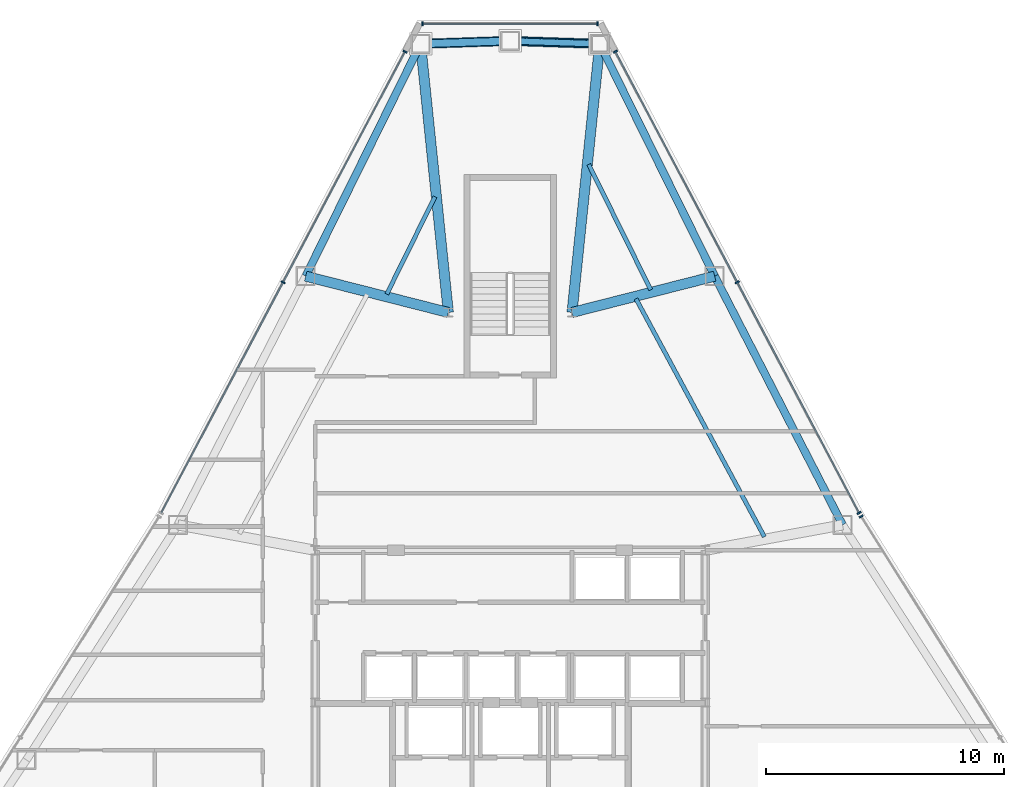
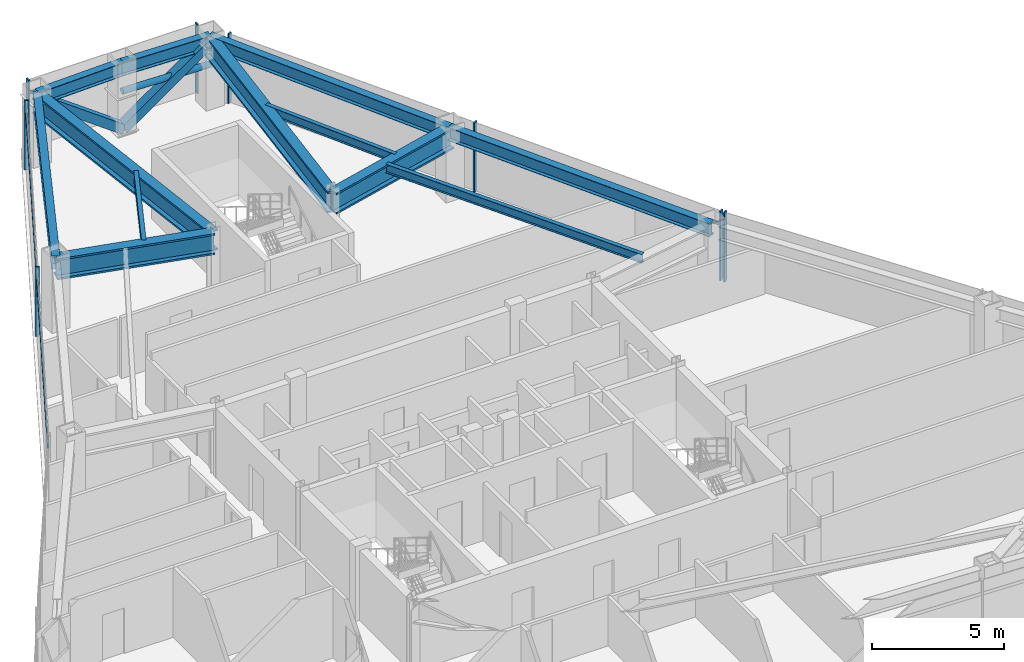
# One storey, part 8 of 13: 14 members, 12 beams, 4 elements without a shape of their own.
"""IFC4 building model written with IfcOpenShell, lengths in metres."""

import ifcopenshell
import ifcopenshell.guid

model = None  # the IFC model being written
_history = None  # IfcOwnerHistory: only IFC2X3 demands one
_inside = {}  # id of a spatial element -> (the spatial element, [elements in it])
_under = {}  # id of a project, library or spatial element -> (it, [spatial elements below it])
_declared = {}  # id of a project -> (the project, [libraries it declares])
_typed = {}  # id of a type object -> (the type object, [elements of that type])
_made_of = {}  # id of a material, layer set ... -> (it, [elements and type objects made of it])


def new_model(schema):
    """Start an empty IFC model of exactly this schema.

    Asked for "IFC4X3", IfcOpenShell would pick the latest addendum, in which some entities
    have other attributes; the version numbers below select the first issue.
    IFC2X3 requires an IfcOwnerHistory on every rooted entity: one is made here for all.
    """
    global model, _history
    if schema == "IFC4X3":
        model = ifcopenshell.file(schema_version=(4, 3, 0, 0))
    else:
        model = ifcopenshell.file(schema=schema)
    _inside.clear()
    _under.clear()
    _declared.clear()
    _typed.clear()
    _made_of.clear()
    _history = None
    if model.schema == "IFC2X3":
        org = make("IfcOrganization", Name="unknown")
        user = make(
            "IfcPersonAndOrganization",
            ThePerson=make("IfcPerson", FamilyName="unknown"),
            TheOrganization=org,
        )
        app = make(
            "IfcApplication",
            ApplicationDeveloper=org,
            Version="unknown",
            ApplicationFullName="unknown",
            ApplicationIdentifier="unknown",
        )
        _history = make(
            "IfcOwnerHistory",
            OwningUser=user,
            OwningApplication=app,
            ChangeAction="ADDED",
            CreationDate=0,
        )
    return model


def make(cls, **values):
    """One entity of the class cls with the attributes given. An attribute that is None is left unset."""
    return model.create_entity(
        cls, **{name: value for name, value in values.items() if value is not None}
    )


def rooted(cls, **values):
    """An entity with a GlobalId (a new one), such as an element, a storey or a relation."""
    return make(cls, GlobalId=ifcopenshell.guid.new(), OwnerHistory=_history, **values)


def si_unit(unit_type, name, prefix=None):
    """IfcSIUnit, for example si_unit("LENGTHUNIT", "METRE", prefix="MILLI")."""
    return make("IfcSIUnit", UnitType=unit_type, Prefix=prefix, Name=name)


def assignment(units):
    """IfcUnitAssignment: the units of a project."""
    return None if units is None else make("IfcUnitAssignment", Units=units)


def point(xyz):
    """IfcCartesianPoint."""
    return None if xyz is None else make("IfcCartesianPoint", Coordinates=xyz)


def direction(xyz):
    """IfcDirection."""
    return None if xyz is None else make("IfcDirection", DirectionRatios=xyz)


def frame(location, z_axis=None, x_axis=None):
    """IfcAxis2Placement3D, a coordinate frame: its origin and axes. An axis left out is left unset."""
    return make(
        "IfcAxis2Placement3D",
        Location=point(location),
        Axis=direction(z_axis),
        RefDirection=direction(x_axis),
    )


def frame_2d(location, x_axis=None):
    """IfcAxis2Placement2D, a coordinate frame in the plane: its origin and x axis."""
    return make(
        "IfcAxis2Placement2D", Location=point(location), RefDirection=direction(x_axis)
    )


def origin():
    """The frame at (0, 0, 0) with its axes left unset."""
    return frame((0.0, 0.0, 0.0))


def origin_2d():
    """The frame at (0, 0) in the plane with its x axis left unset."""
    return frame_2d((0.0, 0.0))


def place(relative_to, where):
    """IfcLocalPlacement: puts the frame where relative to a parent placement (None: the world)."""
    return make(
        "IfcLocalPlacement", PlacementRelTo=relative_to, RelativePlacement=where
    )


def context(
    kind, dimensions, precision=None, world=None, true_north=None, identifier=None
):
    """IfcGeometricRepresentationContext, for example the 3D "Model" context."""
    return make(
        "IfcGeometricRepresentationContext",
        ContextIdentifier=identifier,
        ContextType=kind,
        CoordinateSpaceDimension=dimensions,
        Precision=precision,
        WorldCoordinateSystem=world,
        TrueNorth=true_north,
    )


def subcontext(parent, identifier, kind, view, scale=None):
    """IfcGeometricRepresentationSubContext, for example "Body" below "Model"."""
    return make(
        "IfcGeometricRepresentationSubContext",
        ContextIdentifier=identifier,
        ContextType=kind,
        ParentContext=parent,
        TargetScale=scale,
        TargetView=view,
    )


def project(units=None, contexts=None):
    """IfcProject with its units and contexts."""
    return rooted(
        "IfcProject",
        Name="project",
        RepresentationContexts=contexts,
        UnitsInContext=assignment(units),
    )


def spatial(cls, under=None, at=None, **own):
    """A site, building, storey or space (cls), placed at a placement, below another one or the project."""
    s = rooted(cls, ObjectPlacement=at, **own)
    if under is not None:
        _under.setdefault(under.id(), (under, []))[1].append(s)
    return s


def profile(cls, at=None, kind="AREA", **sizes):
    """A parametric profile (cls). Its sizes go by their IFC names, for example OverallWidth=200.0."""
    return make(cls, ProfileType=kind, Position=at, **sizes)


def rectangle(**sizes):
    """IfcRectangleProfileDef."""
    return profile("IfcRectangleProfileDef", **sizes)


def hollow_rectangle(**sizes):
    """IfcRectangleHollowProfileDef."""
    return profile("IfcRectangleHollowProfileDef", **sizes)


def hollow_circle(**sizes):
    """IfcCircleHollowProfileDef."""
    return profile("IfcCircleHollowProfileDef", **sizes)


def i_section(**sizes):
    """IfcIShapeProfileDef."""
    return profile("IfcIShapeProfileDef", **sizes)


def extrude(swept, where, along, depth):
    """IfcExtrudedAreaSolid: the profile swept, set in the frame where, extruded along a direction by depth."""
    return make(
        "IfcExtrudedAreaSolid",
        SweptArea=swept,
        Position=where,
        ExtrudedDirection=direction(along),
        Depth=depth,
    )


def shape(context_of_items, identifier, shape_type, items):
    """IfcShapeRepresentation: the items that make up one representation, for example the "Body"."""
    return make(
        "IfcShapeRepresentation",
        ContextOfItems=context_of_items,
        RepresentationIdentifier=identifier,
        RepresentationType=shape_type,
        Items=items,
    )


def source(mapping_origin, context_of_items, identifier, shape_type, items):
    """IfcRepresentationMap: a shape defined once, which mapped items show again and again."""
    return make(
        "IfcRepresentationMap",
        MappingOrigin=mapping_origin,
        MappedRepresentation=shape(context_of_items, identifier, shape_type, items),
    )


def transform(
    local_origin,
    x_axis=None,
    y_axis=None,
    z_axis=None,
    scale=None,
    scale2=None,
    scale3=None,
    uniform=True,
):
    """IfcCartesianTransformationOperator3D, or its non-uniform kind. x_axis, y_axis, z_axis: its Axis1, 2, 3."""
    if uniform:
        return make(
            "IfcCartesianTransformationOperator3D",
            Axis1=direction(x_axis),
            Axis2=direction(y_axis),
            LocalOrigin=point(local_origin),
            Scale=scale,
            Axis3=direction(z_axis),
        )
    return make(
        "IfcCartesianTransformationOperator3DnonUniform",
        Axis1=direction(x_axis),
        Axis2=direction(y_axis),
        LocalOrigin=point(local_origin),
        Scale=scale,
        Axis3=direction(z_axis),
        Scale2=scale2,
        Scale3=scale3,
    )


def mapped(mapping_source, mapping_target):
    """IfcMappedItem: shows the shape of a source again, moved by a transform."""
    return make(
        "IfcMappedItem", MappingSource=mapping_source, MappingTarget=mapping_target
    )


def material(Name=None, Category=None):
    """IfcMaterial."""
    return make("IfcMaterial", Name=Name, Category=Category)


def layer(
    of_material, thickness, ventilated=None, Name=None, Category=None, Priority=None
):
    """IfcMaterialLayer: one layer of a wall or slab, of a material (None: an air gap)."""
    return make(
        "IfcMaterialLayer",
        Material=of_material,
        LayerThickness=thickness,
        IsVentilated=ventilated,
        Name=Name,
        Category=Category,
        Priority=Priority,
    )


def layer_set(layers, Name=None):
    """IfcMaterialLayerSet."""
    return make("IfcMaterialLayerSet", MaterialLayers=layers, LayerSetName=Name)


def material_profile(
    of_material, cross_section, Name=None, Category=None, Priority=None
):
    """IfcMaterialProfile: a cross section and its material."""
    return make(
        "IfcMaterialProfile",
        Name=Name,
        Material=of_material,
        Profile=cross_section,
        Priority=Priority,
        Category=Category,
    )


def profile_set(profiles, Name=None, composite=None):
    """IfcMaterialProfileSet."""
    return make(
        "IfcMaterialProfileSet",
        Name=Name,
        MaterialProfiles=profiles,
        CompositeProfile=composite,
    )


def made_of(thing, what):
    """Note that an element or type object is made of a material, layer set ...; save() writes the relation."""
    if what is not None:
        _made_of.setdefault(what.id(), (what, []))[1].append(thing)
    return thing


def type_object(cls, material=None, **own):
    """A type object (cls), such as IfcWallType, which elements share."""
    return made_of(rooted(cls, **own), material)


def type_shapes(of_type, sources):
    """Give a type object the sources (RepresentationMaps) that its elements show as mapped items."""
    of_type.RepresentationMaps = sources


def element(
    cls,
    number,
    at=None,
    inside=None,
    cuts=None,
    type_object=None,
    material=None,
    context=None,
    identifier="Body",
    shape_type=None,
    held_by="IfcProductDefinitionShape",
    body=None,
    shapes=None,
    **own,
):
    """One element of the class cls, such as IfcWall. Its Tag is "e" and its number.

    at: its placement. inside: the storey or other place that contains it. cuts: it is an
    opening in that element (IfcRelVoidsElement). A single representation is given by context,
    identifier, shape_type and body (its items); several are given by shapes. held_by: the class
    of the entity that holds the representations. save() writes the other relations.
    """
    e = rooted(cls, Tag="e%d" % number, ObjectPlacement=at, **own)
    if body is not None:
        shapes = [shape(context, identifier, shape_type, body)]
    if shapes is not None:
        e.Representation = make(held_by, Representations=shapes)
    if inside is not None:
        _inside.setdefault(inside.id(), (inside, []))[1].append(e)
    if cuts is not None:
        rooted(
            "IfcRelVoidsElement", RelatingBuildingElement=cuts, RelatedOpeningElement=e
        )
    if type_object is not None:
        _typed.setdefault(type_object.id(), (type_object, []))[1].append(e)
    return made_of(e, material)


def aggregate(whole, parts):
    """IfcRelAggregates: a whole, such as a stair, and the parts it consists of."""
    return rooted("IfcRelAggregates", RelatingObject=whole, RelatedObjects=parts)


def save(model, path):
    """Write the relations noted so far, then the file.

    IfcRelAggregates (storeys below a building ...), IfcRelContainedInSpatialStructure (elements
    in a storey), IfcRelDefinesByType, IfcRelAssociatesMaterial and IfcRelDeclares: one each for
    every whole, place, type object, material and project.
    """
    for whole, parts in _under.values():
        aggregate(whole, parts)
    for where, things in _inside.values():
        rooted(
            "IfcRelContainedInSpatialStructure",
            RelatedElements=things,
            RelatingStructure=where,
        )
    for kind, things in _typed.values():
        rooted("IfcRelDefinesByType", RelatedObjects=things, RelatingType=kind)
    for what, things in _made_of.values():
        rooted("IfcRelAssociatesMaterial", RelatedObjects=things, RelatingMaterial=what)
    for by, libraries in _declared.values():
        rooted("IfcRelDeclares", RelatingContext=by, RelatedDefinitions=libraries)
    model.write(path)


model = new_model("IFC4")

# Units and contexts
model_context = context("Model", 3, precision=1e-05, world=origin(), true_north=direction((0.0, 1.0)))
body_context = subcontext(model_context, "Body", "Model", "MODEL_VIEW")
ifc_project = project(units=[si_unit("LENGTHUNIT", "METRE"), si_unit("AREAUNIT", "SQUARE_METRE"), si_unit("VOLUMEUNIT", "CUBIC_METRE"), si_unit("PLANEANGLEUNIT", "RADIAN"), si_unit("MASSUNIT", "GRAM", prefix="KILO")], contexts=[model_context])

# Site, building, storey
site_placement = place(None, origin())
site = spatial("IfcSite", under=ifc_project, at=site_placement, CompositionType="ELEMENT")
building_placement = place(site_placement, origin())
building = spatial("IfcBuilding", under=site, at=building_placement, Name="Varakhsha Concourse Tower", CompositionType="ELEMENT")
storey_placement = place(building_placement, frame((0.0, 0.0, 179.25)))
storey = spatial("IfcBuildingStorey", under=building, at=storey_placement, Name="L51", CompositionType="ELEMENT", Elevation=179.25)

# Beams
ifc_material_1 = material(Name="Structural Steel ASTM A992 Grade 50", Category="steel")
ifc_material_profile_1 = material_profile(ifc_material_1, i_section(OverallWidth=0.177978515625, OverallDepth=0.406982421875, WebThickness=0.008056640625, FlangeThickness=0.012939453125, at=origin_2d()), Name="W16X40")
ifc_profile_set_1 = profile_set([ifc_material_profile_1], Name="Structural Steel ASTM A992 Grade 50")
beam_type_1 = type_object("IfcBeamType", Name="BM-JST-W16X40", PredefinedType="JOIST", material=ifc_profile_set_1)
beam_1_placement = place(storey_placement, frame((36.837890625, 46.0712890625, 3.006591796875), z_axis=(-0.443303479833, -0.896371588555, 0.0), x_axis=(0.896371588555, -0.443303479833, 0.0)))
element("IfcBeam", 1, at=beam_1_placement, inside=storey, type_object=beam_type_1, Name="BM-TJST-L51-03", PredefinedType="JOIST", context=body_context, shape_type="SweptSolid", body=[
    extrude(i_section(OverallWidth=0.177978515625, OverallDepth=0.406982421875, WebThickness=0.008056640625, FlangeThickness=0.012939453125, at=origin_2d()), origin(), (0.0, 0.0, 1.0), 4.575439453125),
])
beam_2_placement = place(storey_placement, frame((50.689453125, 31.767333984375, 3.006591796875), z_axis=(-0.474748881481, 0.880121298193, 0.0), x_axis=(-0.880121298193, -0.474748881481, 0.0)))
element("IfcBeam", 2, at=beam_2_placement, inside=storey, type_object=beam_type_1, Name="BM-TJST-L51-17", PredefinedType="JOIST", context=body_context, shape_type="SweptSolid", body=[
    extrude(i_section(OverallWidth=0.177978515625, OverallDepth=0.406982421875, WebThickness=0.008056640625, FlangeThickness=0.012939453125, at=origin_2d()), origin(), (0.0, 0.0, 1.0), 11.3701171875),
])
beam_3_placement = place(storey_placement, frame((45.910400390625, 42.15283203125, 3.006591796875), z_axis=(-0.443325509195, 0.896360693525, 0.0), x_axis=(-0.896360693525, -0.443325509195, 0.0)))
element("IfcBeam", 3, at=beam_3_placement, inside=storey, type_object=beam_type_1, Name="BM-TJST-L51-18", PredefinedType="JOIST", context=body_context, shape_type="SweptSolid", body=[
    extrude(i_section(OverallWidth=0.177978515625, OverallDepth=0.406982421875, WebThickness=0.008056640625, FlangeThickness=0.012939453125, at=origin_2d()), origin(), (0.0, 0.0, 1.0), 5.8837890625),
])
ifc_material_profile_2 = material_profile(ifc_material_1, i_section(OverallWidth=0.323974609375, OverallDepth=0.611083984375, WebThickness=0.012939453125, FlangeThickness=0.01904296875, at=origin_2d()), Name="W24X104")
ifc_profile_set_2 = profile_set([ifc_material_profile_2], Name="Structural Steel ASTM A992 Grade 50")
beam_type_2 = type_object("IfcBeamType", Name="BM-SPAN-W24X104", PredefinedType="SPANDREL", material=ifc_profile_set_2)
for number, where, z_axis, x_axis, name in (
    (4, (43.7666015625, 52.4951171875, 2.904541015625), (-0.999464715479, 0.032715172499, 0.0), (-0.032715172499, -0.999464715479, 0.0), "BM-SPAN-L51-01"),
    (5, (40.0, 52.618408203125, 2.904541015625), (-0.999464715479, -0.032715172499, 0.0), (0.032715172499, -0.999464715479, 0.0), "BM-SPAN-L51-02"),
):
    element("IfcBeam", number, at=place(storey_placement, frame(where, z_axis=z_axis, x_axis=x_axis)), inside=storey, type_object=beam_type_2, Name=name, PredefinedType="SPANDREL", context=body_context, shape_type="SweptSolid", body=[
        extrude(i_section(OverallWidth=0.323974609375, OverallDepth=0.611083984375, WebThickness=0.012939453125, FlangeThickness=0.01904296875, at=origin_2d()), origin(), (0.0, 0.0, 1.0), 3.7685546875),
    ])
beam_4_placement = place(storey_placement, frame((36.2333984375, 52.4951171875, 2.904541015625), z_axis=(-0.443320708592, -0.89636306781, 0.0), x_axis=(0.89636306781, -0.443320708592, 0.0)))
element("IfcBeam", 6, at=beam_4_placement, inside=storey, type_object=beam_type_2, Name="BM-SPAN-L51-03", PredefinedType="SPANDREL", context=body_context, shape_type="SweptSolid", body=[
    extrude(i_section(OverallWidth=0.323974609375, OverallDepth=0.611083984375, WebThickness=0.012939453125, FlangeThickness=0.01904296875, at=origin_2d()), origin(), (0.0, 0.0, 1.0), 10.899169921875),
])
beam_5_placement = place(storey_placement, frame((53.976318359375, 32.269287109375, 2.904541015625), z_axis=(-0.457375223262, 0.889273807748, 0.0), x_axis=(-0.889273807748, -0.457375223262, 0.0)))
element("IfcBeam", 7, at=beam_5_placement, inside=storey, type_object=beam_type_2, Name="BM-SPAN-L51-17", PredefinedType="SPANDREL", context=body_context, shape_type="SweptSolid", body=[
    extrude(i_section(OverallWidth=0.323974609375, OverallDepth=0.611083984375, WebThickness=0.012939453125, FlangeThickness=0.01904296875, at=origin_2d()), origin(), (0.0, 0.0, 1.0), 11.75830078125),
])
beam_6_placement = place(storey_placement, frame((48.598388671875, 42.7255859375, 2.904541015625), z_axis=(-0.443320708592, 0.89636306781, 0.0), x_axis=(-0.89636306781, -0.443320708592, 0.0)))
element("IfcBeam", 8, at=beam_6_placement, inside=storey, type_object=beam_type_2, Name="BM-SPAN-L51-18", PredefinedType="SPANDREL", context=body_context, shape_type="SweptSolid", body=[
    extrude(i_section(OverallWidth=0.323974609375, OverallDepth=0.611083984375, WebThickness=0.012939453125, FlangeThickness=0.01904296875, at=origin_2d()), origin(), (0.0, 0.0, 1.0), 10.899169921875),
])
ifc_material_profile_3 = material_profile(ifc_material_1, i_section(OverallWidth=0.427978515625, OverallDepth=0.97509765625, WebThickness=0.050048828125, FlangeThickness=0.0810546875, at=origin_2d()), Name="W36X395")
ifc_profile_set_3 = profile_set([ifc_material_profile_3], Name="Structural Steel ASTM A992 Grade 50")
beam_type_3 = type_object("IfcBeamType", Name="BM-XFER-W36X395", PredefinedType="USERDEFINED", material=ifc_profile_set_3)
for number, where, z_axis, x_axis, name in (
    (9, (42.60009765625, 41.199951171875, 2.722412109375), (0.102728235159, 0.994709459944, 0.0), (-0.994709459944, 0.102728235159, 0.0), "L51 Radial Floor Girder 01"),
    (10, (37.39990234375, 41.199951171875, 2.722412109375), (-0.102728235159, 0.994709459944, 0.0), (-0.994709459944, -0.102728235159, 0.0), "L51 Radial Floor Girder 03"),
):
    element("IfcBeam", number, at=place(storey_placement, frame(where, z_axis=z_axis, x_axis=x_axis)), inside=storey, type_object=beam_type_3, Name=name, ObjectType="GIRDER", PredefinedType="USERDEFINED", context=body_context, shape_type="SweptSolid", body=[
        extrude(i_section(OverallWidth=0.427978515625, OverallDepth=0.97509765625, WebThickness=0.050048828125, FlangeThickness=0.0810546875, at=origin_2d()), origin(), (0.0, 0.0, 1.0), 11.355224609375),
    ])
for number, where, z_axis, x_axis, name in (
    (11, (37.39990234375, 41.199951171875, 2.722412109375), (-0.969143619734, 0.246496743039, 0.0), (-0.246496743039, -0.969143619734, 0.0), "L51 Radial Floor Girder 04"),
    (12, (42.60009765625, 41.199951171875, 2.722412109375), (0.969143619734, 0.246496743039, 0.0), (-0.246496743039, 0.969143619734, 0.0), "L51 Radial Floor Girder 18"),
):
    element("IfcBeam", number, at=place(storey_placement, frame(where, z_axis=z_axis, x_axis=x_axis)), inside=storey, type_object=beam_type_3, Name=name, ObjectType="GIRDER", PredefinedType="USERDEFINED", context=body_context, shape_type="SweptSolid", body=[
        extrude(i_section(OverallWidth=0.427978515625, OverallDepth=0.97509765625, WebThickness=0.050048828125, FlangeThickness=0.0810546875, at=origin_2d()), origin(), (0.0, 0.0, 1.0), 6.189208984375),
    ])

# Members
ifc_material_2 = material(Name="Structural Steel ASTM A500 Grade C", Category="steel")
ifc_material_profile_4 = material_profile(ifc_material_2, hollow_rectangle(XDim=0.39990234375, YDim=0.39990234375, WallThickness=0.01611328125, at=origin_2d()), Name="HSS 400x400x16")
ifc_profile_set_4 = profile_set([ifc_material_profile_4], Name="Structural Steel ASTM A500 Grade C")
member_type_1 = type_object("IfcMemberType", Name="MB-TUBE-HSS400", PredefinedType="BRACE", material=ifc_profile_set_4)
shared_shape_1 = source(origin(), body_context, "Body", "SweptSolid", [
    extrude(hollow_rectangle(XDim=0.39990234375, YDim=0.39990234375, WallThickness=0.01611328125, at=origin_2d()), origin(), (0.0, 0.0, 1.0), 4.68896484375),
])
type_shapes(member_type_1, [shared_shape_1])
for number, where, z_axis, x_axis, name in (
    (13, (40.0, 52.618408203125, 0.1201171875), (0.803307949471, -0.02629443314, 0.594983143545), (0.032715172499, 0.999464715479, 0.0), "L51 Wind-Corner Tube Brace B01"),
    (14, (40.0, 52.618408203125, 0.1201171875), (-0.803307949471, -0.02629443314, 0.594983143545), (0.032715172499, -0.999464715479, 0.0), "L51 Wind-Corner Tube Brace B02"),
):
    element("IfcMember", number, at=place(storey_placement, frame(where, z_axis=z_axis, x_axis=x_axis)), inside=storey, type_object=member_type_1, Name=name, PredefinedType="BRACE", context=body_context, shape_type="MappedRepresentation", body=[
        mapped(shared_shape_1, transform((0.0, 0.0, 0.0), scale=1.0)),
    ])
ifc_material_profile_5 = material_profile(ifc_material_2, hollow_circle(Radius=0.136474609375, WallThickness=0.011962890625, at=origin_2d()), Name="CHS 273x12")
ifc_profile_set_5 = profile_set([ifc_material_profile_5], Name="Structural Steel ASTM A500 Grade C")
member_type_2 = type_object("IfcMemberType", Name="MB-WIND-CHS273", PredefinedType="COLLAR", material=ifc_profile_set_5)
shared_shape_2 = source(origin(), body_context, "Body", "SweptSolid", [
    extrude(hollow_circle(Radius=0.136474609375, WallThickness=0.011962890625, at=origin_2d()), origin(), (0.0, 0.0, 1.0), 3.7685546875),
])
type_shapes(member_type_2, [shared_shape_2])
member_1_placement = place(storey_placement, frame((43.7666015625, 52.4951171875, 1.800048828125), z_axis=(-0.999464715479, 0.032715172499, 0.0), x_axis=(-0.032715172499, -0.999464715479, 0.0)))
element("IfcMember", 15, at=member_1_placement, inside=storey, type_object=member_type_2, Name="L51 Wind-Corner Collar Tie 1", PredefinedType="COLLAR", context=body_context, shape_type="MappedRepresentation", body=[
    mapped(shared_shape_2, transform((0.0, 0.0, 0.0), scale=1.0)),
])

# Curtain wall, members
ifc_material_3 = material(Name="Anodised Bronze Architectural Aluminium AA 6063-T6", Category="aluminium")
ifc_layer = layer(ifc_material_3, 0.2099609375, Name="CW-SYS-04")
ifc_layer_set = layer_set([ifc_layer], Name="Anodised Bronze Architectural Aluminium AA 6063-T6")
curtain_wall_type = type_object("IfcCurtainWallType", Name="CW-SYS-04", PredefinedType="NOTDEFINED", material=ifc_layer_set)
curtain_wall_1_placement = place(storey_placement, origin())
curtain_wall_1 = element("IfcCurtainWall", 16, at=curtain_wall_1_placement, inside=storey, type_object=curtain_wall_type, Name="L51 Chamfer Curtain Wall F1", PredefinedType="NOTDEFINED")
ifc_material_profile_6 = material_profile(ifc_material_3, rectangle(XDim=0.06494140625, YDim=0.179931640625, at=origin_2d()), Name="CWM-180X65")
ifc_profile_set_6 = profile_set([ifc_material_profile_6], Name="Anodised Bronze Architectural Aluminium AA 6063-T6")
member_type_3 = type_object("IfcMemberType", Name="CWM-180X65", PredefinedType="MULLION", material=ifc_profile_set_6)
shared_shape_3 = source(origin(), body_context, "Body", "SweptSolid", [
    extrude(rectangle(XDim=0.06494140625, YDim=0.179931640625, at=origin_2d()), origin(), (0.0, 0.0, 1.0), 3.2099609375),
])
type_shapes(member_type_3, [shared_shape_3])
member_2_placement = place(storey_placement, frame((36.320068359375, 53.33837890625, 0.0), z_axis=(0.0, 0.0, 1.0), x_axis=(1.0, 0.0, 0.0)))
member_2 = element("IfcMember", 17, at=member_2_placement, type_object=member_type_3, Name="CW-L51-F1 Mullion 00", PredefinedType="MULLION", context=body_context, shape_type="MappedRepresentation", body=[
    mapped(shared_shape_3, transform((0.0, 0.0, 0.0), scale=1.0)),
])
member_3_placement = place(storey_placement, frame((43.679931640625, 53.33837890625, 0.0), z_axis=(0.0, 0.0, 1.0), x_axis=(1.0, 0.0, 0.0)))
member_3 = element("IfcMember", 18, at=member_3_placement, type_object=member_type_3, Name="CW-L51-F1 Mullion 01", PredefinedType="MULLION", context=body_context, shape_type="MappedRepresentation", body=[
    mapped(shared_shape_3, transform((0.0, 0.0, 0.0), scale=1.0)),
])

curtain_wall_2_placement = place(storey_placement, origin())
curtain_wall_2 = element("IfcCurtainWall", 19, at=curtain_wall_2_placement, inside=storey, type_object=curtain_wall_type, Name="L51 Crystal Curtain Wall F2", PredefinedType="NOTDEFINED")
member_4_placement = place(storey_placement, frame((30.451904296875, 42.4697265625, 0.0), z_axis=(0.0, 0.0, 1.0), x_axis=(0.46728648373, 0.884105956389, 0.0)))
member_4 = element("IfcMember", 20, at=member_4_placement, type_object=member_type_3, Name="CW-L51-F2 Mullion 01", PredefinedType="MULLION", context=body_context, shape_type="MappedRepresentation", body=[
    mapped(shared_shape_3, transform((0.0, 0.0, 0.0), scale=1.0)),
])
member_5_placement = place(storey_placement, frame((35.577880859375, 52.168212890625, 0.0), z_axis=(0.0, 0.0, 1.0), x_axis=(0.46728648373, 0.884105956389, 0.0)))
member_5 = element("IfcMember", 21, at=member_5_placement, type_object=member_type_3, Name="CW-L51-F2 Mullion 02", PredefinedType="MULLION", context=body_context, shape_type="MappedRepresentation", body=[
    mapped(shared_shape_3, transform((0.0, 0.0, 0.0), scale=1.0)),
])

# Curtain wall, member
curtain_wall_3_placement = place(storey_placement, origin())
curtain_wall_3 = element("IfcCurtainWall", 22, at=curtain_wall_3_placement, inside=storey, type_object=curtain_wall_type, Name="L51 Crystal Curtain Wall F8", PredefinedType="NOTDEFINED")
member_6_placement = place(storey_placement, frame((54.760009765625, 32.622314453125, 0.0), z_axis=(0.0, 0.0, 1.0), x_axis=(0.532022365141, -0.846730301212, 0.0)))
member_6 = element("IfcMember", 23, at=member_6_placement, type_object=member_type_3, Name="CW-L51-F8 Mullion 00", PredefinedType="MULLION", context=body_context, shape_type="MappedRepresentation", body=[
    mapped(shared_shape_3, transform((0.0, 0.0, 0.0), scale=1.0)),
])
aggregate(curtain_wall_3, [member_6])

# Curtain wall, members
curtain_wall_4_placement = place(storey_placement, origin())
curtain_wall_4 = element("IfcCurtainWall", 24, at=curtain_wall_4_placement, inside=storey, type_object=curtain_wall_type, Name="L51 Crystal Curtain Wall F9", PredefinedType="NOTDEFINED")
member_7_placement = place(storey_placement, frame((44.422119140625, 52.168212890625, 0.0), z_axis=(0.0, 0.0, 1.0), x_axis=(0.46728648373, -0.884105956389, 0.0)))
member_7 = element("IfcMember", 25, at=member_7_placement, type_object=member_type_3, Name="CW-L51-F9 Mullion 00", PredefinedType="MULLION", context=body_context, shape_type="MappedRepresentation", body=[
    mapped(shared_shape_3, transform((0.0, 0.0, 0.0), scale=1.0)),
])
member_8_placement = place(storey_placement, frame((49.548095703125, 42.4697265625, 0.0), z_axis=(0.0, 0.0, 1.0), x_axis=(0.46728648373, -0.884105956389, 0.0)))
member_8 = element("IfcMember", 26, at=member_8_placement, type_object=member_type_3, Name="CW-L51-F9 Mullion 01", PredefinedType="MULLION", context=body_context, shape_type="MappedRepresentation", body=[
    mapped(shared_shape_3, transform((0.0, 0.0, 0.0), scale=1.0)),
])
member_9_placement = place(storey_placement, frame((54.674072265625, 32.771240234375, 0.0), z_axis=(0.0, 0.0, 1.0), x_axis=(0.46728648373, -0.884105956389, 0.0)))
member_9 = element("IfcMember", 27, at=member_9_placement, type_object=member_type_3, Name="CW-L51-F9 Mullion 02", PredefinedType="MULLION", context=body_context, shape_type="MappedRepresentation", body=[
    mapped(shared_shape_3, transform((0.0, 0.0, 0.0), scale=1.0)),
])

# Member
ifc_material_profile_7 = material_profile(ifc_material_3, rectangle(XDim=0.06005859375, YDim=0.139892578125, at=origin_2d()), Name="CWT-140X60")
ifc_profile_set_7 = profile_set([ifc_material_profile_7], Name="Anodised Bronze Architectural Aluminium AA 6063-T6")
member_type_4 = type_object("IfcMemberType", Name="CWT-140X60", PredefinedType="USERDEFINED", material=ifc_profile_set_7)
shared_shape_4 = source(origin(), body_context, "Body", "SweptSolid", [
    extrude(rectangle(XDim=0.06005859375, YDim=0.139892578125, at=origin_2d()), origin(), (0.0, 0.0, 1.0), 21.939697265625),
])
member_10_placement = place(storey_placement, frame((25.325927734375, 32.771240234375, 2.56005859375), z_axis=(0.467281231971, 0.884108732141, 0.0), x_axis=(-0.884108732141, 0.467281231971, 0.0)))
member_10 = element("IfcMember", 28, at=member_10_placement, type_object=member_type_4, Name="CW-L51-F2 Transom 01", ObjectType="TRANSOM", PredefinedType="USERDEFINED", context=body_context, shape_type="MappedRepresentation", body=[
    mapped(shared_shape_4, transform((0.0, 0.0, 0.0), scale=1.0)),
])

aggregate(curtain_wall_2, [member_4, member_5, member_10])

member_11_placement = place(storey_placement, frame((44.422119140625, 52.168212890625, 2.56005859375), z_axis=(0.467281231971, -0.884108732141, 0.0), x_axis=(0.884108732141, 0.467281231971, 0.0)))
member_11 = element("IfcMember", 29, at=member_11_placement, type_object=member_type_4, Name="CW-L51-F9 Transom 01", ObjectType="TRANSOM", PredefinedType="USERDEFINED", context=body_context, shape_type="MappedRepresentation", body=[
    mapped(shared_shape_4, transform((0.0, 0.0, 0.0), scale=1.0)),
])

aggregate(curtain_wall_4, [member_7, member_8, member_9, member_11])

shared_shape_5 = source(origin(), body_context, "Body", "SweptSolid", [
    extrude(rectangle(XDim=0.06005859375, YDim=0.139892578125, at=origin_2d()), origin(), (0.0, 0.0, 1.0), 7.35986328125),
])
type_shapes(member_type_4, [shared_shape_4, shared_shape_5])
member_12_placement = place(storey_placement, frame((36.320068359375, 53.33837890625, 2.56005859375), z_axis=(1.0, 0.0, 0.0), x_axis=(0.0, 1.0, 0.0)))
member_12 = element("IfcMember", 30, at=member_12_placement, type_object=member_type_4, Name="CW-L51-F1 Transom 01", ObjectType="TRANSOM", PredefinedType="USERDEFINED", context=body_context, shape_type="MappedRepresentation", body=[
    mapped(shared_shape_5, transform((0.0, 0.0, 0.0), scale=1.0)),
])

aggregate(curtain_wall_1, [member_2, member_3, member_12])

save(model, "model.ifc")
